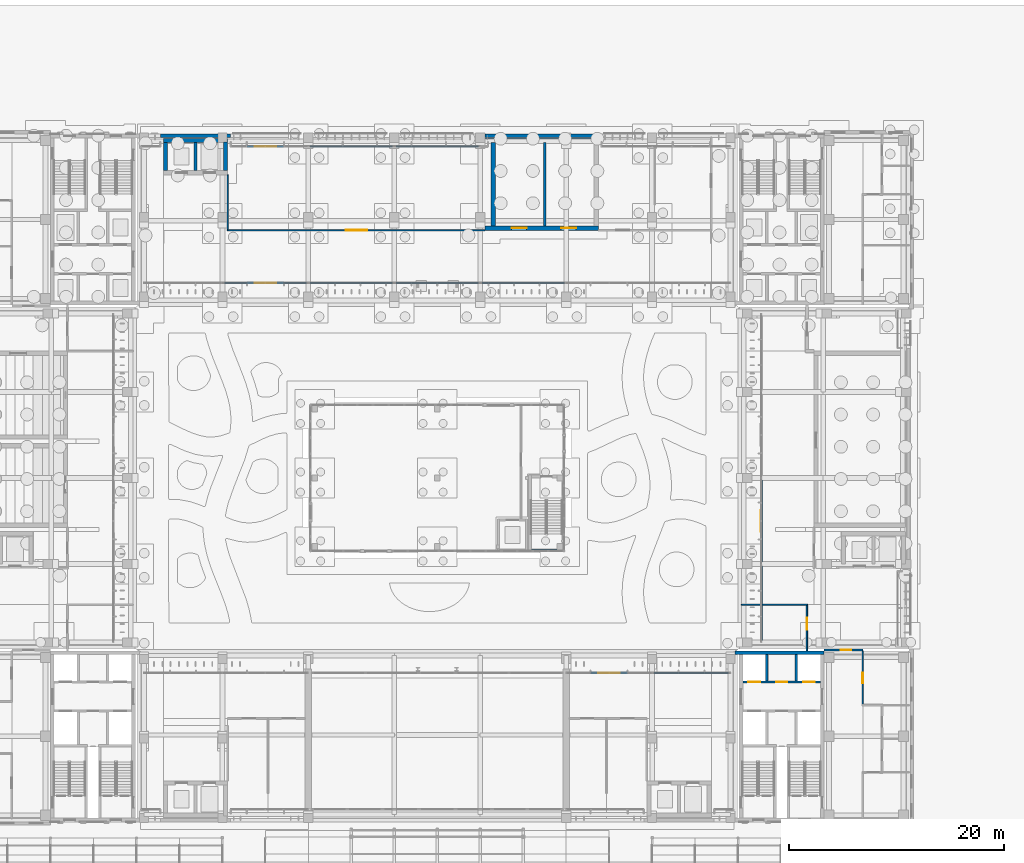
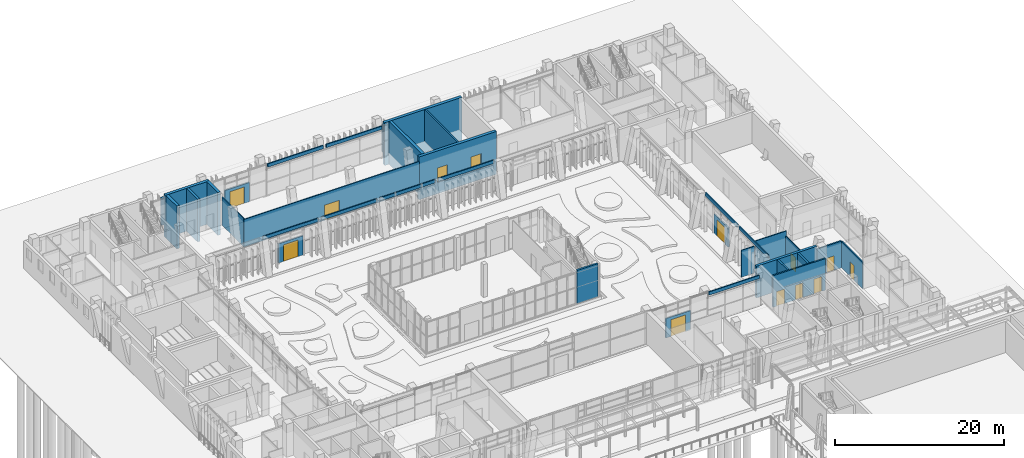
# One storey, part 111 of 144: 35 walls, 13 doors, 13 openings.
"""IFC4 building model written with IfcOpenShell, lengths in metres."""

from ifc_helpers import new_model, si_unit, direction, frame, frame_2d, origin, place, context, subcontext, project, spatial, rectangle, extrude, material, layer, layer_set, type_object, element, fill, save


model = new_model("IFC4")

# Units and contexts
model_context = context("Model", 3, precision=1e-05, world=origin(), true_north=direction((0.0, 1.0)))
body_context = subcontext(model_context, "Body", "Model", "MODEL_VIEW")
ifc_project = project(units=[si_unit("LENGTHUNIT", "METRE"), si_unit("AREAUNIT", "SQUARE_METRE"), si_unit("VOLUMEUNIT", "CUBIC_METRE"), si_unit("PLANEANGLEUNIT", "RADIAN"), si_unit("MASSUNIT", "GRAM", prefix="KILO")], contexts=[model_context])

# Site, building, storey
site_placement = place(None, origin())
site = spatial("IfcSite", under=ifc_project, at=site_placement, CompositionType="ELEMENT")
building_placement = place(site_placement, origin())
building = spatial("IfcBuilding", under=site, at=building_placement, Name="Lantern Court Media Centre", CompositionType="ELEMENT")
storey_placement = place(building_placement, origin())
storey = spatial("IfcBuildingStorey", under=building, at=storey_placement, Name="L00", CompositionType="ELEMENT", Elevation=0.0)

# Wall
ifc_material_1 = material(Name="Gypsum board partition")
ifc_layer_1 = layer(ifc_material_1, 0.125)
ifc_layer_set_1 = layer_set([ifc_layer_1], Name="Gypsum board partition")
wall_type_1 = type_object("IfcWallType", Name="Corridor partition 125", PredefinedType="PARTITIONING", material=ifc_layer_set_1)
wall_1_placement = place(storey_placement, frame((32.5, 103.112548828125, 0.0), z_axis=(0.0, 0.0, 1.0), x_axis=(0.0, 1.0, 0.0)))
element("IfcWall", 1, at=wall_1_placement, inside=storey, type_object=wall_type_1, Name="L00 partition 001", PredefinedType="PARTITIONING", context=body_context, shape_type="SweptSolid", body=[
    extrude(rectangle(XDim=5.08251953125, YDim=0.125, at=frame_2d((2.541259765625, 0.0))), origin(), (0.0, 0.0, 1.0), 4.080078125),
])

# Wall, opening, door
wall_2_placement = place(storey_placement, frame((32.4375, 103.050048828125, 0.0), z_axis=(0.0, 0.0, 1.0), x_axis=(1.0, 0.0, 0.0)))
wall_2 = element("IfcWall", 2, at=wall_2_placement, inside=storey, type_object=wall_type_1, Name="L00 partition 010", PredefinedType="PARTITIONING", context=body_context, shape_type="SweptSolid", body=[
    extrude(rectangle(XDim=23.987548828125, YDim=0.125, at=frame_2d((11.99365234375, 0.0))), origin(), (0.0, 0.0, 1.0), 3.97998046875),
])
opening_1_placement = place(wall_2_placement, frame((11.03759765625, 0.0, 0.0)))
opening_1 = element("IfcOpeningElement", 3, at=opening_1_placement, cuts=wall_2, Name="Opening L00-007", PredefinedType="OPENING", context=body_context, shape_type="SweptSolid", body=[
    extrude(rectangle(XDim=2.0, YDim=2.199951171875, at=frame_2d((1.0, 1.10009765625))), frame((0.0, 0.072509765625, 0.0), z_axis=(0.0, -1.0, 0.0), x_axis=(1.0, 0.0, 0.0)), (0.0, 0.0, 1.0), 0.14501953125),
])
ifc_material_2 = material(Name="Solid-core timber door leaf", Category="wood")
door_type_1 = type_object("IfcDoorType", Name="Double door 2000x2200", OperationType="NOTDEFINED", PredefinedType="DOOR", material=ifc_material_2)
door_1_placement = place(opening_1_placement, frame((2.0, 0.0, 0.0), z_axis=(0.0, 0.0, 1.0), x_axis=(-1.0, 0.0, 0.0)))
door_1 = element("IfcDoor", 4, at=door_1_placement, inside=storey, type_object=door_type_1, Name="L00 Newsroom door", OperationType="DOUBLE_DOOR_SINGLE_SWING", OverallHeight=2.199951171875, OverallWidth=2.0, PredefinedType="DOOR", context=body_context, shape_type="SweptSolid", body=[
    extrude(rectangle(XDim=2.0, YDim=2.199951171875, at=frame_2d((1.0, 1.10009765625))), frame((0.0, 0.02490234375, 0.0), z_axis=(0.0, -1.0, 0.0), x_axis=(1.0, 0.0, 0.0)), (0.0, 0.0, 1.0), 0.050048828125),
])
fill(opening_1, door_1)

# Walls
wall_3_placement = place(storey_placement, frame((80.300048828125, 68.199951171875, 0.0), z_axis=(0.0, 0.0, 1.0), x_axis=(1.0, 0.0, 0.0)))
element("IfcWall", 5, at=wall_3_placement, inside=storey, type_object=wall_type_1, Name="L00 partition 018", PredefinedType="PARTITIONING", context=body_context, shape_type="SweptSolid", body=[
    extrude(rectangle(XDim=1.77001953125, YDim=0.125, at=frame_2d((0.885009765625, 0.0))), origin(), (0.0, 0.0, 1.0), 3.8798828125),
])
wall_4_placement = place(storey_placement, frame((82.22998046875, 68.199951171875, 0.0), z_axis=(0.0, 0.0, 1.0), x_axis=(1.0, 0.0, 0.0)))
element("IfcWall", 6, at=wall_4_placement, inside=storey, type_object=wall_type_1, Name="L00 partition 019", PredefinedType="PARTITIONING", context=body_context, shape_type="SweptSolid", body=[
    extrude(rectangle(XDim=4.232421875, YDim=0.125, at=frame_2d((2.1162109375, 0.0))), origin(), (0.0, 0.0, 1.0), 4.56005859375),
])

# Wall, opening, door
wall_5_placement = place(storey_placement, frame((86.39990234375, 63.89990234375, 0.0), z_axis=(0.0, 0.0, 1.0), x_axis=(0.0, 1.0, 0.0)))
wall_5 = element("IfcWall", 7, at=wall_5_placement, inside=storey, type_object=wall_type_1, Name="L00 partition 024", PredefinedType="PARTITIONING", context=body_context, shape_type="SweptSolid", body=[
    extrude(rectangle(XDim=4.237548828125, YDim=0.125, at=frame_2d((2.11865234375, 0.0))), origin(), (0.0, 0.0, 1.0), 3.8798828125),
])
opening_2_placement = place(wall_5_placement, frame((1.949951171875, 0.0, 0.0)))
opening_2 = element("IfcOpeningElement", 8, at=opening_2_placement, cuts=wall_5, Name="Opening L00-015", PredefinedType="OPENING", context=body_context, shape_type="SweptSolid", body=[
    extrude(rectangle(XDim=1.14990234375, YDim=2.10009765625, at=frame_2d((0.574951171875, 1.050048828125))), frame((0.0, 0.072509765625, 0.0), z_axis=(0.0, -1.0, 0.0), x_axis=(1.0, 0.0, 0.0)), (0.0, 0.0, 1.0), 0.14501953125),
])
door_type_2 = type_object("IfcDoorType", Name="Single door 1150x2100", OperationType="NOTDEFINED", PredefinedType="DOOR", material=ifc_material_2)
door_2_placement = place(opening_2_placement, origin())
door_2 = element("IfcDoor", 9, at=door_2_placement, inside=storey, type_object=door_type_2, Name="L00 Broadcast Reception door", OperationType="SINGLE_SWING_RIGHT", OverallHeight=2.10009765625, OverallWidth=1.14990234375, PredefinedType="DOOR", context=body_context, shape_type="SweptSolid", body=[
    extrude(rectangle(XDim=1.14990234375, YDim=2.10009765625, at=frame_2d((0.574951171875, 1.050048828125))), frame((0.0, 0.02490234375, 0.0), z_axis=(0.0, -1.0, 0.0), x_axis=(1.0, 0.0, 0.0)), (0.0, 0.0, 1.0), 0.050048828125),
])
fill(opening_2, door_2)

wall_6_placement = place(storey_placement, frame((91.60009765625, 58.9140625, 0.0), z_axis=(0.0, 0.0, 1.0), x_axis=(0.0, 1.0, 0.0)))
wall_6 = element("IfcWall", 10, at=wall_6_placement, inside=storey, type_object=wall_type_1, Name="L00 partition 038", PredefinedType="PARTITIONING", context=body_context, shape_type="SweptSolid", body=[
    extrude(rectangle(XDim=4.98583984375, YDim=0.125, at=frame_2d((2.492919921875, 0.0))), origin(), (0.0, 0.0, 1.0), 3.8798828125),
])
opening_3_placement = place(wall_6_placement, frame((1.961669921875, 0.0, 0.0)))
opening_3 = element("IfcOpeningElement", 11, at=opening_3_placement, cuts=wall_6, Name="Opening L00-024", PredefinedType="OPENING", context=body_context, shape_type="SweptSolid", body=[
    extrude(rectangle(XDim=1.0, YDim=2.10009765625, at=frame_2d((0.5, 1.050048828125))), frame((0.0, 0.072509765625, 0.0), z_axis=(0.0, -1.0, 0.0), x_axis=(1.0, 0.0, 0.0)), (0.0, 0.0, 1.0), 0.14501953125),
])
door_type_3 = type_object("IfcDoorType", Name="Single door 1000x2100", OperationType="NOTDEFINED", PredefinedType="DOOR", material=ifc_material_2)
door_3_placement = place(opening_3_placement, frame((1.0, 0.0, 0.0), z_axis=(0.0, 0.0, 1.0), x_axis=(-1.0, 0.0, 0.0)))
door_3 = element("IfcDoor", 12, at=door_3_placement, inside=storey, type_object=door_type_3, Name="L00 Media Shop door", OperationType="SINGLE_SWING_LEFT", OverallHeight=2.10009765625, OverallWidth=1.0, PredefinedType="DOOR", context=body_context, shape_type="SweptSolid", body=[
    extrude(rectangle(XDim=1.0, YDim=2.10009765625, at=frame_2d((0.5, 1.050048828125))), frame((0.0, 0.02490234375, 0.0), z_axis=(0.0, -1.0, 0.0), x_axis=(1.0, 0.0, 0.0)), (0.0, 0.0, 1.0), 0.050048828125),
])
fill(opening_3, door_3)

ifc_material_3 = material(Name="Insulated rendered blockwork", Category="masonry")
ifc_layer_2 = layer(ifc_material_3, 0.179931640625)
ifc_layer_set_2 = layer_set([ifc_layer_2], Name="Insulated rendered blockwork")
wall_type_2 = type_object("IfcWallType", Name="Entrance bay infill wall 180", PredefinedType="SOLIDWALL", material=ifc_layer_set_2)
wall_7_placement = place(storey_placement, frame((66.300048828125, 61.85009765625, 0.0), z_axis=(0.0, 0.0, 1.0), x_axis=(1.0, 0.0, 0.0)))
wall_7 = element("IfcWall", 13, at=wall_7_placement, inside=storey, type_object=wall_type_2, Name="Entrance bay wall S inner L00", PredefinedType="SOLIDWALL", context=body_context, shape_type="SweptSolid", body=[
    extrude(rectangle(XDim=3.39990234375, YDim=0.179931640625, at=frame_2d((1.699951171875, 0.0))), origin(), (0.0, 0.0, 1.0), 2.800048828125),
])
opening_4_placement = place(wall_7_placement, frame((0.699951171875, 0.0, 0.0)))
opening_4 = element("IfcOpeningElement", 14, at=opening_4_placement, cuts=wall_7, Name="Opening XD04", PredefinedType="OPENING", context=body_context, shape_type="SweptSolid", body=[
    extrude(rectangle(XDim=2.0, YDim=2.39990234375, at=frame_2d((1.0, 1.199951171875))), frame((0.0, 0.099853515625, 0.0), z_axis=(0.0, -1.0, 0.0), x_axis=(1.0, 0.0, 0.0)), (0.0, 0.0, 1.0), 0.199951171875),
])
ifc_material_4 = material(Name="Anodised aluminium and glass", Category="aluminium")
door_type_4 = type_object("IfcDoorType", Name="Entrance double door 2000x2400", OperationType="DOUBLE_DOOR_SINGLE_SWING", PredefinedType="DOOR", material=ifc_material_4)
door_4_placement = place(opening_4_placement, origin())
door_4 = element("IfcDoor", 15, at=door_4_placement, inside=storey, type_object=door_type_4, Name="Entrance door XD04", OperationType="SINGLE_SWING_LEFT", OverallHeight=2.39990234375, OverallWidth=2.0, PredefinedType="DOOR", context=body_context, shape_type="SweptSolid", body=[
    extrude(rectangle(XDim=2.0, YDim=2.39990234375, at=frame_2d((1.0, 1.199951171875))), frame((0.0, 0.02490234375, 0.0), z_axis=(0.0, -1.0, 0.0), x_axis=(1.0, 0.0, 0.0)), (0.0, 0.0, 1.0), 0.050048828125),
])
fill(opening_4, door_4)

wall_8_placement = place(storey_placement, frame((34.300048828125, 98.14990234375, 0.0), z_axis=(0.0, 0.0, 1.0), x_axis=(1.0, 0.0, 0.0)))
wall_8 = element("IfcWall", 16, at=wall_8_placement, inside=storey, type_object=wall_type_2, Name="Entrance bay wall N inner L00", PredefinedType="SOLIDWALL", context=body_context, shape_type="SweptSolid", body=[
    extrude(rectangle(XDim=3.39990234375, YDim=0.179931640625, at=frame_2d((1.699951171875, 0.0))), origin(), (0.0, 0.0, 1.0), 2.800048828125),
])
opening_5_placement = place(wall_8_placement, frame((0.699951171875, 0.0, 0.0)))
opening_5 = element("IfcOpeningElement", 17, at=opening_5_placement, cuts=wall_8, Name="Opening XD11", PredefinedType="OPENING", context=body_context, shape_type="SweptSolid", body=[
    extrude(rectangle(XDim=2.0, YDim=2.39990234375, at=frame_2d((1.0, 1.199951171875))), frame((0.0, 0.099853515625, 0.0), z_axis=(0.0, -1.0, 0.0), x_axis=(1.0, 0.0, 0.0)), (0.0, 0.0, 1.0), 0.199951171875),
])
door_5_placement = place(opening_5_placement, origin())
door_5 = element("IfcDoor", 18, at=door_5_placement, inside=storey, type_object=door_type_4, Name="Entrance door XD11", OperationType="SINGLE_SWING_LEFT", OverallHeight=2.39990234375, OverallWidth=2.0, PredefinedType="DOOR", context=body_context, shape_type="SweptSolid", body=[
    extrude(rectangle(XDim=2.0, YDim=2.39990234375, at=frame_2d((1.0, 1.199951171875))), frame((0.0, 0.02490234375, 0.0), z_axis=(0.0, -1.0, 0.0), x_axis=(1.0, 0.0, 0.0)), (0.0, 0.0, 1.0), 0.050048828125),
])
fill(opening_5, door_5)

wall_9_placement = place(storey_placement, frame((82.14990234375, 74.300048828125, 0.0), z_axis=(0.0, 0.0, 1.0), x_axis=(0.0, 1.0, 0.0)))
wall_9 = element("IfcWall", 19, at=wall_9_placement, inside=storey, type_object=wall_type_2, Name="Entrance bay wall E inner L00", PredefinedType="SOLIDWALL", context=body_context, shape_type="SweptSolid", body=[
    extrude(rectangle(XDim=3.39990234375, YDim=0.179931640625, at=frame_2d((1.699951171875, 0.0))), origin(), (0.0, 0.0, 1.0), 2.800048828125),
])
opening_6_placement = place(wall_9_placement, frame((0.699951171875, 0.0, 0.0)))
opening_6 = element("IfcOpeningElement", 20, at=opening_6_placement, cuts=wall_9, Name="Opening XD15", PredefinedType="OPENING", context=body_context, shape_type="SweptSolid", body=[
    extrude(rectangle(XDim=2.0, YDim=2.39990234375, at=frame_2d((1.0, 1.199951171875))), frame((0.0, 0.099853515625, 0.0), z_axis=(0.0, -1.0, 0.0), x_axis=(1.0, 0.0, 0.0)), (0.0, 0.0, 1.0), 0.199951171875),
])
door_6_placement = place(opening_6_placement, origin())
door_6 = element("IfcDoor", 21, at=door_6_placement, inside=storey, type_object=door_type_4, Name="Entrance door XD15", OperationType="SINGLE_SWING_LEFT", OverallHeight=2.39990234375, OverallWidth=2.0, PredefinedType="DOOR", context=body_context, shape_type="SweptSolid", body=[
    extrude(rectangle(XDim=2.0, YDim=2.39990234375, at=frame_2d((1.0, 1.199951171875))), frame((0.0, 0.02490234375, 0.0), z_axis=(0.0, -1.0, 0.0), x_axis=(1.0, 0.0, 0.0)), (0.0, 0.0, 1.0), 0.050048828125),
])
fill(opening_6, door_6)

ifc_layer_3 = layer(ifc_material_3, 0.199951171875)
ifc_layer_set_3 = layer_set([ifc_layer_3], Name="Insulated rendered blockwork")
wall_type_3 = type_object("IfcWallType", Name="Entrance bay infill wall 200", PredefinedType="SOLIDWALL", material=ifc_layer_set_3)
wall_10_placement = place(storey_placement, frame((34.300048828125, 110.85009765625, 0.0), z_axis=(0.0, 0.0, 1.0), x_axis=(1.0, 0.0, 0.0)))
wall_10 = element("IfcWall", 22, at=wall_10_placement, inside=storey, type_object=wall_type_3, Name="Entrance bay wall N outer L00", PredefinedType="SOLIDWALL", context=body_context, shape_type="SweptSolid", body=[
    extrude(rectangle(XDim=3.39990234375, YDim=0.199951171875, at=frame_2d((1.699951171875, 0.0))), origin(), (0.0, 0.0, 1.0), 2.800048828125),
])
opening_7_placement = place(wall_10_placement, frame((0.699951171875, 0.0, 0.0)))
opening_7 = element("IfcOpeningElement", 23, at=opening_7_placement, cuts=wall_10, Name="Opening XD09", PredefinedType="OPENING", context=body_context, shape_type="SweptSolid", body=[
    extrude(rectangle(XDim=2.0, YDim=2.39990234375, at=frame_2d((1.0, 1.199951171875))), frame((0.0, 0.10986328125, 0.0), z_axis=(0.0, -1.0, 0.0), x_axis=(1.0, 0.0, 0.0)), (0.0, 0.0, 1.0), 0.219970703125),
])
door_7_placement = place(opening_7_placement, origin())
door_7 = element("IfcDoor", 24, at=door_7_placement, inside=storey, type_object=door_type_4, Name="Entrance door XD09", OperationType="SINGLE_SWING_LEFT", OverallHeight=2.39990234375, OverallWidth=2.0, PredefinedType="DOOR", context=body_context, shape_type="SweptSolid", body=[
    extrude(rectangle(XDim=2.0, YDim=2.39990234375, at=frame_2d((1.0, 1.199951171875))), frame((0.0, 0.02490234375, 0.0), z_axis=(0.0, -1.0, 0.0), x_axis=(1.0, 0.0, 0.0)), (0.0, 0.0, 1.0), 0.050048828125),
])
fill(opening_7, door_7)

# Wall, openings, doors
ifc_material_5 = material(Name="Concrete C40", Category="concrete")
ifc_layer_4 = layer(ifc_material_5, 0.199951171875)
ifc_layer_set_4 = layer_set([ifc_layer_4], Name="Concrete C40")
wall_type_4 = type_object("IfcWallType", Name="Fire lobby wall 200", PredefinedType="SOLIDWALL", material=ifc_layer_set_4)
wall_11_placement = place(storey_placement, frame((87.64990234375, 61.0, 0.0), z_axis=(0.0, 0.0, 1.0), x_axis=(-1.0, 0.0, 0.0)))
wall_11 = element("IfcWall", 25, at=wall_11_placement, inside=storey, type_object=wall_type_4, Name="L00 SE FW2", PredefinedType="SOLIDWALL", context=body_context, shape_type="SweptSolid", body=[
    extrude(rectangle(XDim=7.199951171875, YDim=0.199951171875, at=frame_2d((3.60009765625, 0.0))), origin(), (0.0, 0.0, 1.0), 4.550048828125),
])
opening_8_placement = place(wall_11_placement, frame((0.5, 0.0, 0.0)))
opening_8 = element("IfcOpeningElement", 26, at=opening_8_placement, cuts=wall_11, Name="Opening LD-SEP2-L00", PredefinedType="OPENING", context=body_context, shape_type="SweptSolid", body=[
    extrude(rectangle(XDim=1.10009765625, YDim=2.10009765625, at=frame_2d((0.550048828125, 1.050048828125))), frame((0.0, 0.10986328125, 0.0), z_axis=(0.0, -1.0, 0.0), x_axis=(1.0, 0.0, 0.0)), (0.0, 0.0, 1.0), 0.219970703125),
])
opening_9_placement = place(wall_11_placement, frame((5.60009765625, 0.0, 0.0)))
opening_9 = element("IfcOpeningElement", 27, at=opening_9_placement, cuts=wall_11, Name="Opening LD-SEP3-L00", PredefinedType="OPENING", context=body_context, shape_type="SweptSolid", body=[
    extrude(rectangle(XDim=1.10009765625, YDim=2.10009765625, at=frame_2d((0.550048828125, 1.050048828125))), frame((0.0, 0.10986328125, 0.0), z_axis=(0.0, -1.0, 0.0), x_axis=(1.0, 0.0, 0.0)), (0.0, 0.0, 1.0), 0.219970703125),
])
opening_10_placement = place(wall_11_placement, frame((3.10009765625, 0.0, 0.0)))
opening_10 = element("IfcOpeningElement", 28, at=opening_10_placement, cuts=wall_11, Name="Opening SE-L00-06", PredefinedType="OPENING", context=body_context, shape_type="SweptSolid", body=[
    extrude(rectangle(XDim=1.0, YDim=2.10009765625, at=frame_2d((0.5, 1.050048828125))), frame((0.0, 0.10986328125, 0.0), z_axis=(0.0, -1.0, 0.0), x_axis=(1.0, 0.0, 0.0)), (0.0, 0.0, 1.0), 0.219970703125),
])
ifc_material_6 = material(Name="Steel door leaf", Category="steel")
door_type_5 = type_object("IfcDoorType", Name="Lift landing door 1100x2100", OperationType="DOUBLE_DOOR_SLIDING", PredefinedType="DOOR", material=ifc_material_6)
door_8_placement = place(opening_8_placement, origin())
door_8 = element("IfcDoor", 29, at=door_8_placement, inside=storey, type_object=door_type_5, Name="L00 SE lift P2 landing door", OperationType="DOUBLE_DOOR_SLIDING", OverallHeight=2.10009765625, OverallWidth=1.10009765625, PredefinedType="DOOR", context=body_context, shape_type="SweptSolid", body=[
    extrude(rectangle(XDim=1.10009765625, YDim=2.10009765625, at=frame_2d((0.550048828125, 1.050048828125))), frame((0.0, 0.02490234375, 0.0), z_axis=(0.0, -1.0, 0.0), x_axis=(1.0, 0.0, 0.0)), (0.0, 0.0, 1.0), 0.050048828125),
])
fill(opening_8, door_8)
door_9_placement = place(opening_9_placement, origin())
door_9 = element("IfcDoor", 30, at=door_9_placement, inside=storey, type_object=door_type_5, Name="L00 SE lift P3 landing door", OperationType="DOUBLE_DOOR_SLIDING", OverallHeight=2.10009765625, OverallWidth=1.10009765625, PredefinedType="DOOR", context=body_context, shape_type="SweptSolid", body=[
    extrude(rectangle(XDim=1.10009765625, YDim=2.10009765625, at=frame_2d((0.550048828125, 1.050048828125))), frame((0.0, 0.02490234375, 0.0), z_axis=(0.0, -1.0, 0.0), x_axis=(1.0, 0.0, 0.0)), (0.0, 0.0, 1.0), 0.050048828125),
])
fill(opening_9, door_9)
door_type_6 = type_object("IfcDoorType", Name="Service door 1000x2100", OperationType="NOTDEFINED", PredefinedType="DOOR", material=ifc_material_6)
door_10_placement = place(opening_10_placement, origin())
door_10 = element("IfcDoor", 31, at=door_10_placement, inside=storey, type_object=door_type_6, Name="L00 SE accessible WC door", OperationType="SINGLE_SWING_RIGHT", OverallHeight=2.10009765625, OverallWidth=1.0, PredefinedType="DOOR", context=body_context, shape_type="SweptSolid", body=[
    extrude(rectangle(XDim=1.0, YDim=2.10009765625, at=frame_2d((0.5, 1.050048828125))), frame((0.0, 0.02490234375, 0.0), z_axis=(0.0, -1.0, 0.0), x_axis=(1.0, 0.0, 0.0)), (0.0, 0.0, 1.0), 0.050048828125),
])
fill(opening_10, door_10)

# Walls
ifc_layer_5 = layer(ifc_material_3, 0.14990234375)
ifc_layer_set_5 = layer_set([ifc_layer_5], Name="Insulated rendered blockwork")
wall_type_5 = type_object("IfcWallType", Name="Head infill wall 150", PredefinedType="SOLIDWALL", material=ifc_layer_set_5)
wall_12_placement = place(storey_placement, frame((72.199951171875, 61.85009765625, 4.10009765625), z_axis=(0.0, 0.0, 1.0), x_axis=(1.0, 0.0, 0.0)))
element("IfcWall", 32, at=wall_12_placement, inside=storey, type_object=wall_type_5, Name="Head infill wall S inner L00", PredefinedType="SOLIDWALL", context=body_context, shape_type="SweptSolid", body=[
    extrude(rectangle(XDim=6.900146484375, YDim=0.14990234375, at=frame_2d((3.4501953125, 0.0))), origin(), (0.0, 0.0, 1.0), 0.47998046875),
])
for number, where, z_axis, x_axis, name in (
    (33, (40.199951171875, 110.85009765625, 4.10009765625), (0.0, 0.0, 1.0), (1.0, 0.0, 0.0), "Head infill wall N outer L00"),
    (34, (48.199951171875, 110.85009765625, 4.10009765625), (0.0, 0.0, 1.0), (1.0, 0.0, 0.0), "Head infill wall N outer L00"),
    (35, (32.199951171875, 98.14990234375, 4.10009765625), (0.0, 0.0, 1.0), (1.0, 0.0, 0.0), "Head infill wall N inner L00"),
    (36, (40.199951171875, 98.14990234375, 4.10009765625), (0.0, 0.0, 1.0), (1.0, 0.0, 0.0), "Head infill wall N inner L00"),
    (37, (48.199951171875, 98.14990234375, 4.10009765625), (0.0, 0.0, 1.0), (1.0, 0.0, 0.0), "Head infill wall N inner L00"),
    (38, (56.199951171875, 98.14990234375, 4.10009765625), (0.0, 0.0, 1.0), (1.0, 0.0, 0.0), "Head infill wall N inner L00"),
):
    element("IfcWall", number, at=place(storey_placement, frame(where, z_axis=z_axis, x_axis=x_axis)), inside=storey, type_object=wall_type_5, Name=name, PredefinedType="SOLIDWALL", context=body_context, shape_type="SweptSolid", body=[
        extrude(rectangle(XDim=7.60009765625, YDim=0.14990234375, at=frame_2d((3.800048828125, 0.0))), origin(), (0.0, 0.0, 1.0), 0.47998046875),
    ])
wall_13_placement = place(storey_placement, frame((82.14990234375, 64.89990234375, 4.10009765625), z_axis=(0.0, 0.0, 1.0), x_axis=(0.0, 1.0, 0.0)))
element("IfcWall", 39, at=wall_13_placement, inside=storey, type_object=wall_type_5, Name="Head infill wall E inner L00", PredefinedType="SOLIDWALL", context=body_context, shape_type="SweptSolid", body=[
    extrude(rectangle(XDim=6.900146484375, YDim=0.14990234375, at=frame_2d((3.4501953125, 0.0))), origin(), (0.0, 0.0, 1.0), 0.47998046875),
])
wall_14_placement = place(storey_placement, frame((82.14990234375, 72.199951171875, 4.10009765625), z_axis=(0.0, 0.0, 1.0), x_axis=(0.0, 1.0, 0.0)))
element("IfcWall", 40, at=wall_14_placement, inside=storey, type_object=wall_type_5, Name="Head infill wall E inner L00", PredefinedType="SOLIDWALL", context=body_context, shape_type="SweptSolid", body=[
    extrude(rectangle(XDim=7.60009765625, YDim=0.14990234375, at=frame_2d((3.800048828125, 0.0))), origin(), (0.0, 0.0, 1.0), 0.47998046875),
])
ifc_material_7 = material(Name="Honed limestone cladding on blockwork", Category="masonry")
ifc_layer_6 = layer(ifc_material_7, 0.300048828125)
ifc_layer_set_6 = layer_set([ifc_layer_6], Name="Honed limestone cladding on blockwork")
wall_type_6 = type_object("IfcWallType", Name="Limestone flank wall 300", PredefinedType="SOLIDWALL", material=ifc_layer_set_6)
wall_15_placement = place(storey_placement, frame((26.25, 111.85009765625, 0.0), z_axis=(0.0, 0.0, 1.0), x_axis=(1.0, 0.0, 0.0)))
element("IfcWall", 41, at=wall_15_placement, inside=storey, type_object=wall_type_6, Name="Limestone flank wall N outer L00", PredefinedType="SOLIDWALL", context=body_context, shape_type="SweptSolid", body=[
    extrude(rectangle(XDim=6.5, YDim=0.300048828125, at=frame_2d((3.25, 0.0))), origin(), (0.0, 0.0, 1.0), 3.89990234375),
])
wall_16_placement = place(storey_placement, frame((56.425048828125, 111.85009765625, 0.0), z_axis=(0.0, 0.0, 1.0), x_axis=(1.0, 0.0, 0.0)))
element("IfcWall", 42, at=wall_16_placement, inside=storey, type_object=wall_type_6, Name="Limestone flank wall N outer L00", PredefinedType="SOLIDWALL", context=body_context, shape_type="SweptSolid", body=[
    extrude(rectangle(XDim=10.824951171875, YDim=0.300048828125, at=frame_2d((5.41259765625, 0.0))), origin(), (0.0, 0.0, 1.0), 3.89990234375),
])

# Wall, opening, door
ifc_material_8 = material(Name="Fire-rated gypsum board")
ifc_layer_7 = layer(ifc_material_8, 0.199951171875)
ifc_layer_set_7 = layer_set([ifc_layer_7], Name="Fire-rated gypsum board")
wall_type_7 = type_object("IfcWallType", Name="Movement-joint compartment wall 200", PredefinedType="PARTITIONING", material=ifc_layer_set_7)
wall_17_placement = place(storey_placement, frame((88.0, 64.0, 0.0), z_axis=(0.0, 0.0, 1.0), x_axis=(1.0, 0.0, 0.0)))
wall_17 = element("IfcWall", 43, at=wall_17_placement, inside=storey, type_object=wall_type_7, Name="L00 movement-joint wall 03", PredefinedType="PARTITIONING", context=body_context, shape_type="SweptSolid", body=[
    extrude(rectangle(XDim=3.60009765625, YDim=0.199951171875, at=frame_2d((1.800048828125, 0.0))), origin(), (0.0, 0.0, 1.0), 3.8798828125),
])
opening_11_placement = place(wall_17_placement, frame((1.550048828125, 0.0, 0.0)))
opening_11 = element("IfcOpeningElement", 44, at=opening_11_placement, cuts=wall_17, Name="Opening L00-J03", PredefinedType="OPENING", context=body_context, shape_type="SweptSolid", body=[
    extrude(rectangle(XDim=1.0, YDim=2.10009765625, at=frame_2d((0.5, 1.050048828125))), frame((0.0, 0.10986328125, 0.0), z_axis=(0.0, -1.0, 0.0), x_axis=(1.0, 0.0, 0.0)), (0.0, 0.0, 1.0), 0.219970703125),
])
door_type_7 = type_object("IfcDoorType", Name="Movement-joint fire door 1000x2100", OperationType="NOTDEFINED", PredefinedType="DOOR", material=ifc_material_6)
door_11_placement = place(opening_11_placement, frame((1.0, 0.0, 0.0), z_axis=(0.0, 0.0, 1.0), x_axis=(-1.0, 0.0, 0.0)))
door_11 = element("IfcDoor", 45, at=door_11_placement, inside=storey, type_object=door_type_7, Name="L00 bar end lobby door 03", OperationType="SINGLE_SWING_LEFT", OverallHeight=2.10009765625, OverallWidth=1.0, PredefinedType="DOOR", context=body_context, shape_type="SweptSolid", body=[
    extrude(rectangle(XDim=1.0, YDim=2.10009765625, at=frame_2d((0.5, 1.050048828125))), frame((0.0, 0.02490234375, 0.0), z_axis=(0.0, -1.0, 0.0), x_axis=(1.0, 0.0, 0.0)), (0.0, 0.0, 1.0), 0.050048828125),
])
fill(opening_11, door_11)

# Walls
ifc_layer_8 = layer(ifc_material_5, 0.35009765625)
ifc_layer_set_8 = layer_set([ifc_layer_8], Name="Concrete C40")
wall_type_8 = type_object("IfcWallType", Name="RC CORE WALL 350", PredefinedType="SHEAR", material=ifc_layer_set_8)
wall_18_placement = place(storey_placement, frame((79.72509765625, 63.72509765625, 0.0), z_axis=(0.0, 0.0, 1.0), x_axis=(1.0, 0.0, 0.0)))
element("IfcWall", 46, at=wall_18_placement, inside=storey, type_object=wall_type_8, Name="WC-SE-L00-N", PredefinedType="SHEAR", context=body_context, shape_type="SweptSolid", body=[
    extrude(rectangle(XDim=8.27490234375, YDim=0.35009765625, at=frame_2d((4.137451171875, 0.0))), origin(), (0.0, 0.0, 1.0), 4.580078125),
])
ifc_layer_9 = layer(ifc_material_5, 0.300048828125)
ifc_layer_set_9 = layer_set([ifc_layer_9], Name="Concrete C40")
wall_type_9 = type_object("IfcWallType", Name="RC SHEAR WALL 300", PredefinedType="SHEAR", material=ifc_layer_set_9)
wall_19_placement = place(storey_placement, frame((29.5, 108.60009765625, -1.60009765625), z_axis=(0.0, 0.0, 1.0), x_axis=(0.0, 1.0, 0.0)))
element("IfcWall", 47, at=wall_19_placement, inside=storey, type_object=wall_type_9, Name="WB-N-LC-L00-D", PredefinedType="SHEAR", context=body_context, shape_type="SweptSolid", body=[
    extrude(rectangle(XDim=2.599853515625, YDim=0.300048828125, at=frame_2d((1.2998046875, 0.0))), origin(), (0.0, 0.0, 1.0), 6.18017578125),
])
ifc_layer_10 = layer(ifc_material_5, 0.39990234375)
ifc_layer_set_10 = layer_set([ifc_layer_10], Name="Concrete C40")
wall_type_10 = type_object("IfcWallType", Name="RC SHEAR WALL 400", PredefinedType="SHEAR", material=ifc_layer_set_10)
wall_20_placement = place(storey_placement, frame((26.5, 111.39990234375, -1.60009765625), z_axis=(0.0, 0.0, 1.0), x_axis=(1.0, 0.0, 0.0)))
element("IfcWall", 48, at=wall_20_placement, inside=storey, type_object=wall_type_10, Name="WB-N-LC-L00-N", PredefinedType="SHEAR", context=body_context, shape_type="SweptSolid", body=[
    extrude(rectangle(XDim=6.0, YDim=0.39990234375, at=frame_2d((3.0, 0.0))), origin(), (0.0, 0.0, 1.0), 6.18017578125),
])
wall_21_placement = place(storey_placement, frame((26.699951171875, 108.60009765625, -1.60009765625), z_axis=(0.0, 0.0, 1.0), x_axis=(0.0, 1.0, 0.0)))
element("IfcWall", 49, at=wall_21_placement, inside=storey, type_object=wall_type_10, Name="WB-N-LC-L00-W", PredefinedType="SHEAR", context=body_context, shape_type="SweptSolid", body=[
    extrude(rectangle(XDim=2.599853515625, YDim=0.39990234375, at=frame_2d((1.2998046875, 0.0))), origin(), (0.0, 0.0, 1.0), 6.18017578125),
])
wall_22_placement = place(storey_placement, frame((32.300048828125, 108.60009765625, -1.60009765625), z_axis=(0.0, 0.0, 1.0), x_axis=(0.0, 1.0, 0.0)))
element("IfcWall", 50, at=wall_22_placement, inside=storey, type_object=wall_type_10, Name="WB-N-LC-L00-E", PredefinedType="SHEAR", context=body_context, shape_type="SweptSolid", body=[
    extrude(rectangle(XDim=2.685302734375, YDim=0.39990234375, at=frame_2d((1.3427734375, 0.0))), origin(), (0.0, 0.0, 1.0), 6.18017578125),
])

# Wall, openings, doors
wall_23_placement = place(storey_placement, frame((56.425048828125, 103.25, -1.60009765625), z_axis=(0.0, 0.0, 1.0), x_axis=(1.0, 0.0, 0.0)))
wall_23 = element("IfcWall", 51, at=wall_23_placement, inside=storey, type_object=wall_type_10, Name="WB-N-SRV-L00-S", PredefinedType="SHEAR", context=body_context, shape_type="SweptSolid", body=[
    extrude(rectangle(XDim=10.574951171875, YDim=0.39990234375, at=frame_2d((5.28759765625, 0.0))), origin(), (0.0, 0.0, 1.0), 6.18017578125),
])
opening_12_placement = place(wall_23_placement, frame((2.5, 0.0, 1.60009765625)))
opening_12 = element("IfcOpeningElement", 52, at=opening_12_placement, cuts=wall_23, Name="Opening L00-005", PredefinedType="OPENING", context=body_context, shape_type="SweptSolid", body=[
    extrude(rectangle(XDim=1.39990234375, YDim=2.10009765625, at=frame_2d((0.699951171875, 1.050048828125))), frame((0.0, 0.2099609375, 0.0), z_axis=(0.0, -1.0, 0.0), x_axis=(1.0, 0.0, 0.0)), (0.0, 0.0, 1.0), 0.419921875),
])
opening_13_placement = place(wall_23_placement, frame((7.10009765625, 0.0, 1.60009765625)))
opening_13 = element("IfcOpeningElement", 53, at=opening_13_placement, cuts=wall_23, Name="Opening L00-006", PredefinedType="OPENING", context=body_context, shape_type="SweptSolid", body=[
    extrude(rectangle(XDim=1.39990234375, YDim=2.10009765625, at=frame_2d((0.699951171875, 1.050048828125))), frame((0.0, 0.2099609375, 0.0), z_axis=(0.0, -1.0, 0.0), x_axis=(1.0, 0.0, 0.0)), (0.0, 0.0, 1.0), 0.419921875),
])
door_type_8 = type_object("IfcDoorType", Name="Server hall fire door 1400x2100", OperationType="NOTDEFINED", PredefinedType="DOOR", material=ifc_material_6)
door_12_placement = place(opening_12_placement, origin())
door_12 = element("IfcDoor", 54, at=door_12_placement, inside=storey, type_object=door_type_8, Name="L00 Server Room 01 door", OperationType="SINGLE_SWING_RIGHT", OverallHeight=2.10009765625, OverallWidth=1.39990234375, PredefinedType="DOOR", context=body_context, shape_type="SweptSolid", body=[
    extrude(rectangle(XDim=1.39990234375, YDim=2.10009765625, at=frame_2d((0.699951171875, 1.050048828125))), frame((0.0, 0.02490234375, 0.0), z_axis=(0.0, -1.0, 0.0), x_axis=(1.0, 0.0, 0.0)), (0.0, 0.0, 1.0), 0.050048828125),
])
fill(opening_12, door_12)
door_13_placement = place(opening_13_placement, origin())
door_13 = element("IfcDoor", 55, at=door_13_placement, inside=storey, type_object=door_type_8, Name="L00 Render Room 01 door", OperationType="SINGLE_SWING_LEFT", OverallHeight=2.10009765625, OverallWidth=1.39990234375, PredefinedType="DOOR", context=body_context, shape_type="SweptSolid", body=[
    extrude(rectangle(XDim=1.39990234375, YDim=2.10009765625, at=frame_2d((0.699951171875, 1.050048828125))), frame((0.0, 0.02490234375, 0.0), z_axis=(0.0, -1.0, 0.0), x_axis=(1.0, 0.0, 0.0)), (0.0, 0.0, 1.0), 0.050048828125),
])
fill(opening_13, door_13)

# Walls
wall_24_placement = place(storey_placement, frame((56.425048828125, 111.39990234375, -1.60009765625), z_axis=(0.0, 0.0, 1.0), x_axis=(1.0, 0.0, 0.0)))
element("IfcWall", 56, at=wall_24_placement, inside=storey, type_object=wall_type_10, Name="WB-N-SRV-L00-N", PredefinedType="SHEAR", context=body_context, shape_type="SweptSolid", body=[
    extrude(rectangle(XDim=10.574951171875, YDim=0.39990234375, at=frame_2d((5.28759765625, 0.0))), origin(), (0.0, 0.0, 1.0), 6.18017578125),
])
wall_25_placement = place(storey_placement, frame((57.199951171875, 103.449951171875, -1.60009765625), z_axis=(0.0, 0.0, 1.0), x_axis=(0.0, 1.0, 0.0)))
element("IfcWall", 57, at=wall_25_placement, inside=storey, type_object=wall_type_10, Name="WB-N-SRV-L00-W", PredefinedType="SHEAR", context=body_context, shape_type="SweptSolid", body=[
    extrude(rectangle(XDim=7.75, YDim=0.39990234375, at=frame_2d((3.875, 0.0))), origin(), (0.0, 0.0, 1.0), 6.18017578125),
])
ifc_layer_11 = layer(ifc_material_5, 0.25)
ifc_layer_set_11 = layer_set([ifc_layer_11], Name="Concrete C40")
wall_type_11 = type_object("IfcWallType", Name="RC lift shaft wall 250", PredefinedType="SOLIDWALL", material=ifc_layer_set_11)
for number, where, z_axis, x_axis, name in (
    (58, (85.425048828125, 61.10009765625, 0.0), (0.0, 0.0, 1.0), (0.0, 1.0, 0.0), "L00 SE L1b"),
    (59, (82.675048828125, 61.10009765625, 0.0), (0.0, 0.0, 1.0), (0.0, 1.0, 0.0), "L00 SE L2b"),
):
    element("IfcWall", number, at=place(storey_placement, frame(where, z_axis=z_axis, x_axis=x_axis)), inside=storey, type_object=wall_type_11, Name=name, PredefinedType="SOLIDWALL", context=body_context, shape_type="SweptSolid", body=[
        extrude(rectangle(XDim=2.449951171875, YDim=0.25, at=frame_2d((1.22509765625, 0.0))), origin(), (0.0, 0.0, 1.0), 4.550048828125),
    ])
ifc_layer_12 = layer(ifc_material_5, 0.25)
ifc_layer_set_12 = layer_set([ifc_layer_12], Name="Concrete C40")
wall_type_12 = type_object("IfcWallType", Name="RC stair shaft wall 250", PredefinedType="SOLIDWALL", material=ifc_layer_set_12)
wall_26_placement = place(storey_placement, frame((60.75, 73.27490234375, 0.0), z_axis=(0.0, 0.0, 1.0), x_axis=(1.0, 0.0, 0.0)))
element("IfcWall", 60, at=wall_26_placement, inside=storey, type_object=wall_type_12, Name="L00 PRESS-ST shaft wall S", PredefinedType="SOLIDWALL", context=body_context, shape_type="SweptSolid", body=[
    extrude(rectangle(XDim=2.85009765625, YDim=0.25, at=frame_2d((1.425048828125, 0.0))), origin(), (0.0, 0.0, 1.0), 4.800048828125),
])
ifc_layer_13 = layer(ifc_material_8, 0.219970703125)
ifc_layer_set_13 = layer_set([ifc_layer_13], Name="Fire-rated gypsum board")
wall_type_13 = type_object("IfcWallType", Name="Server room fire wall 220", PredefinedType="PARTITIONING", material=ifc_layer_set_13)
wall_27_placement = place(storey_placement, frame((62.0, 103.455078125, 0.0), z_axis=(0.0, 0.0, 1.0), x_axis=(0.0, 1.0, 0.0)))
element("IfcWall", 61, at=wall_27_placement, inside=storey, type_object=wall_type_13, Name="L00 partition 009", PredefinedType="PARTITIONING", context=body_context, shape_type="SweptSolid", body=[
    extrude(rectangle(XDim=7.739990234375, YDim=0.219970703125, at=frame_2d((3.8701171875, 0.0))), origin(), (0.0, 0.0, 1.0), 4.56005859375),
])

save(model, "model.ifc")
